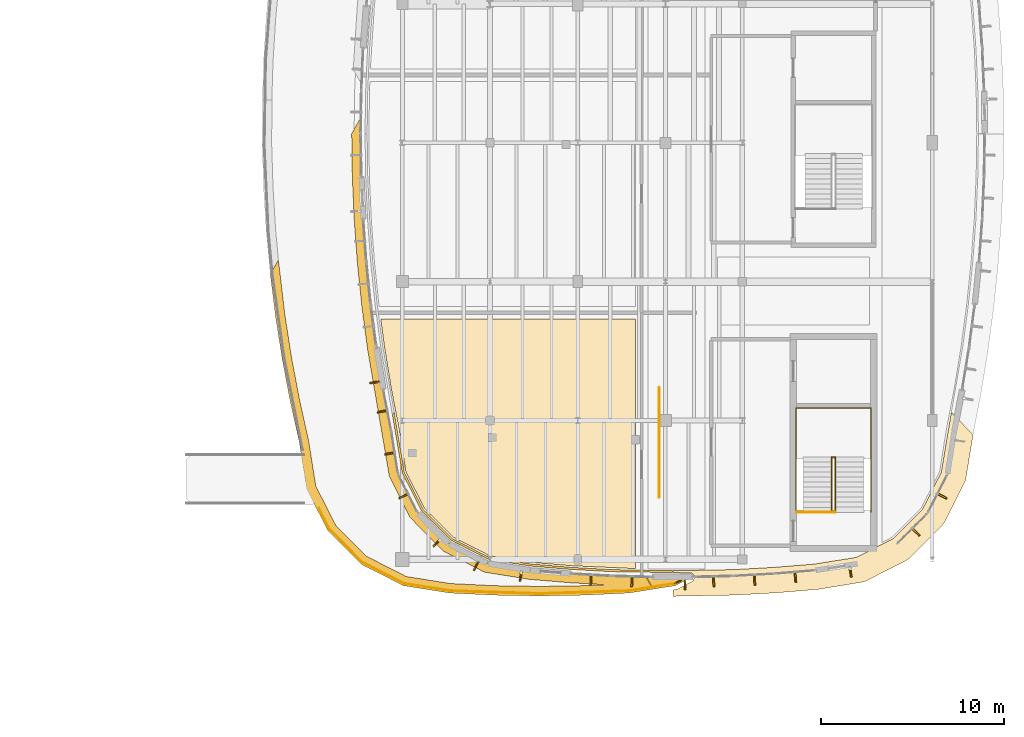
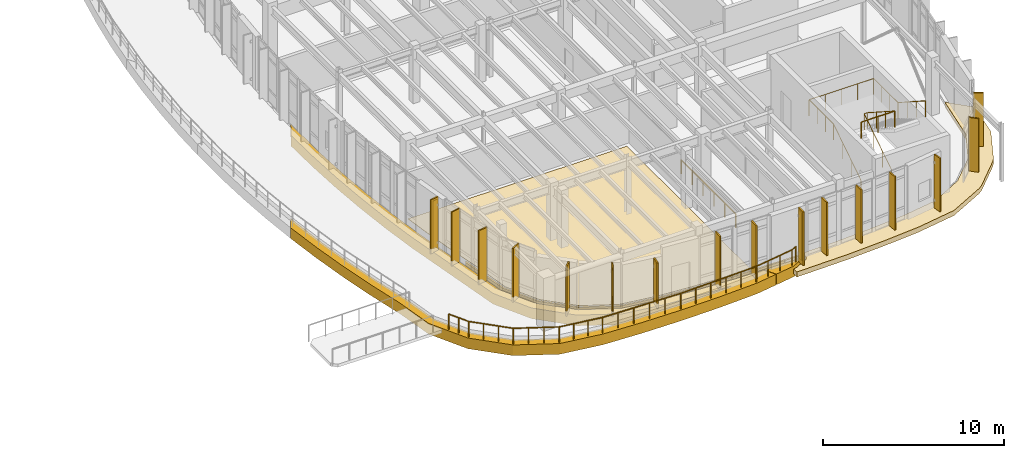
# One storey, part 100 of 105: 21 coverings, 6 railings, 6 shading devices.
"""IFC4 building model written with IfcOpenShell, lengths in metres."""

from ifc_helpers import new_model, si_unit, direction, frame, origin, origin_2d, place, context, subcontext, project, spatial, polyline, rectangle, circle, outline, extrude, material, layer, layer_set, type_object, element, save


model = new_model("IFC4")

# Units and contexts
model_context = context("Model", 3, precision=1e-05, world=origin(), true_north=direction((0.0, 1.0)))
body_context = subcontext(model_context, "Body", "Model", "MODEL_VIEW")
ifc_project = project(units=[si_unit("LENGTHUNIT", "METRE"), si_unit("AREAUNIT", "SQUARE_METRE"), si_unit("VOLUMEUNIT", "CUBIC_METRE"), si_unit("PLANEANGLEUNIT", "RADIAN"), si_unit("MASSUNIT", "GRAM", prefix="KILO")], contexts=[model_context])

# Site, building, storey
site_placement = place(None, origin())
site = spatial("IfcSite", under=ifc_project, at=site_placement, CompositionType="ELEMENT")
building_placement = place(site_placement, origin())
building = spatial("IfcBuilding", under=site, at=building_placement, Name="Corveleigh Park Community Centre", CompositionType="ELEMENT")
storey_placement = place(building_placement, frame((0.0, 0.0, 8.699951171875)))
storey = spatial("IfcBuildingStorey", under=building, at=storey_placement, Name="L02", CompositionType="ELEMENT", Elevation=8.699951171875)

# Coverings
ifc_material_1 = material(Name="Warm buff ribbed architectural cladding", Category="masonry")
ifc_layer_1 = layer(ifc_material_1, 0.0849609375, Name="Warm buff ribbed architectural cladding", Category="masonry")
ifc_layer_set_1 = layer_set([ifc_layer_1], Name="Warm buff ribbed architectural cladding")
covering_type_1 = type_object("IfcCoveringType", Name="COV-CLD-BUF", PredefinedType="CLADDING", material=ifc_layer_set_1)
covering_1_placement = place(storey_placement, origin())
element("IfcCovering", 1, at=covering_1_placement, inside=storey, type_object=covering_type_1, Name="V4 L02 Brise-soleil blade 369", PredefinedType="CLADDING", context=body_context, shape_type="SweptSolid", body=[
    extrude(outline(polyline([(149.781982421875, 57.77197265625), (149.697021484375, 57.777099609375), (149.6650390625, 57.197998046875), (149.75, 57.193115234375), (149.781982421875, 57.77197265625)])), origin(), (0.0, 0.0, 1.0), 3.636962890625),
])
covering_2_placement = place(storey_placement, origin())
element("IfcCovering", 2, at=covering_2_placement, inside=storey, type_object=covering_type_1, Name="V4 L02 Brise-soleil blade 370", PredefinedType="CLADDING", context=body_context, shape_type="SweptSolid", body=[
    extrude(outline(polyline([(152.011962890625, 57.680908203125), (151.927001953125, 57.68310546875), (151.909912109375, 57.10302734375), (151.9951171875, 57.10107421875), (152.011962890625, 57.680908203125)])), origin(), (0.0, 0.0, 1.0), 3.636962890625),
])
covering_3_placement = place(storey_placement, origin())
element("IfcCovering", 3, at=covering_3_placement, inside=storey, type_object=covering_type_1, Name="V4 L02 Brise-soleil blade 371", PredefinedType="CLADDING", context=body_context, shape_type="SweptSolid", body=[
    extrude(outline(polyline([(154.89892578125, 57.47607421875), (154.81494140625, 57.47607421875), (154.81494140625, 56.94091796875), (154.89892578125, 56.94091796875), (154.89892578125, 57.47607421875)])), origin(), (0.0, 0.0, 1.0), 3.636962890625),
])
covering_4_placement = place(storey_placement, origin())
element("IfcCovering", 4, at=covering_4_placement, inside=storey, type_object=covering_type_1, Name="V4 L02 Brise-soleil blade 372", PredefinedType="CLADDING", context=body_context, shape_type="SweptSolid", body=[
    extrude(outline(polyline([(156.472900390625, 57.68310546875), (156.387939453125, 57.680908203125), (156.405029296875, 57.10107421875), (156.489990234375, 57.10302734375), (156.472900390625, 57.68310546875)])), origin(), (0.0, 0.0, 1.0), 3.636962890625),
])
covering_5_placement = place(storey_placement, origin())
element("IfcCovering", 5, at=covering_5_placement, inside=storey, type_object=covering_type_1, Name="V4 L02 Brise-soleil blade 373", PredefinedType="CLADDING", context=body_context, shape_type="SweptSolid", body=[
    extrude(outline(polyline([(158.702880859375, 57.777099609375), (158.617919921875, 57.77197265625), (158.64990234375, 57.193115234375), (158.735107421875, 57.197998046875), (158.702880859375, 57.777099609375)])), origin(), (0.0, 0.0, 1.0), 3.64208984375),
])
covering_6_placement = place(storey_placement, origin())
element("IfcCovering", 6, at=covering_6_placement, inside=storey, type_object=covering_type_1, Name="V4 L02 Brise-soleil blade 374", PredefinedType="CLADDING", context=body_context, shape_type="SweptSolid", body=[
    extrude(outline(polyline([(160.927001953125, 57.930908203125), (160.842041015625, 57.924072265625), (160.889892578125, 57.346923828125), (160.97412109375, 57.35400390625), (160.927001953125, 57.930908203125)])), origin(), (0.0, 0.0, 1.0), 3.64208984375),
])
covering_7_placement = place(storey_placement, origin())
element("IfcCovering", 7, at=covering_7_placement, inside=storey, type_object=covering_type_1, Name="V4 L02 Brise-soleil blade 375", PredefinedType="CLADDING", context=body_context, shape_type="SweptSolid", body=[
    extrude(outline(polyline([(163.929931640625, 58.1689453125), (163.845947265625, 58.156005859375), (163.928955078125, 57.626953125), (164.012939453125, 57.64111328125), (163.929931640625, 58.1689453125)])), origin(), (0.0, 0.0, 1.0), 3.64208984375),
])
covering_8_placement = place(storey_placement, origin())
element("IfcCovering", 8, at=covering_8_placement, inside=storey, type_object=covering_type_1, Name="V4 L02 Brise-soleil blade 376", PredefinedType="CLADDING", context=body_context, shape_type="SweptSolid", body=[
    extrude(outline(polyline([(167.323974609375, 60.3359375), (167.263916015625, 60.27587890625), (167.674072265625, 59.865966796875), (167.73388671875, 59.926025390625), (167.323974609375, 60.3359375)])), origin(), (0.0, 0.0, 1.0), 3.64208984375),
])
covering_9_placement = place(storey_placement, origin())
element("IfcCovering", 9, at=covering_9_placement, inside=storey, type_object=covering_type_1, Name="V4 L02 Brise-soleil blade 377", PredefinedType="CLADDING", context=body_context, shape_type="SweptSolid", body=[
    extrude(outline(polyline([(168.68994140625, 62.239013671875), (168.65087890625, 62.1630859375), (169.16796875, 61.89990234375), (169.20703125, 61.97607421875), (168.68994140625, 62.239013671875)])), origin(), (0.0, 0.0, 1.0), 3.64208984375),
])
covering_10_placement = place(storey_placement, origin())
element("IfcCovering", 10, at=covering_10_placement, inside=storey, type_object=covering_type_1, Name="V4 L02 Brise-soleil blade 422", PredefinedType="CLADDING", context=body_context, shape_type="SweptSolid", body=[
    extrude(outline(polyline([(138.14599609375, 68.291015625), (138.133056640625, 68.375), (137.60498046875, 68.2890625), (137.617919921875, 68.205078125), (138.14599609375, 68.291015625)])), origin(), (0.0, 0.0, 1.0), 3.636962890625),
])
covering_11_placement = place(storey_placement, origin())
element("IfcCovering", 11, at=covering_11_placement, inside=storey, type_object=covering_type_1, Name="V4 L02 Brise-soleil blade 423", PredefinedType="CLADDING", context=body_context, shape_type="SweptSolid", body=[
    extrude(outline(polyline([(138.60595703125, 66.714111328125), (138.590087890625, 66.797119140625), (138.02001953125, 66.68701171875), (138.035888671875, 66.60400390625), (138.60595703125, 66.714111328125)])), origin(), (0.0, 0.0, 1.0), 3.636962890625),
])
covering_12_placement = place(storey_placement, origin())
element("IfcCovering", 12, at=covering_12_placement, inside=storey, type_object=covering_type_1, Name="V4 L02 Brise-soleil blade 424", PredefinedType="CLADDING", context=body_context, shape_type="SweptSolid", body=[
    extrude(outline(polyline([(139.010009765625, 64.40087890625), (138.9970703125, 64.485107421875), (138.424072265625, 64.39404296875), (138.43701171875, 64.31005859375), (139.010009765625, 64.40087890625)])), origin(), (0.0, 0.0, 1.0), 3.636962890625),
])
covering_13_placement = place(storey_placement, origin())
element("IfcCovering", 13, at=covering_13_placement, inside=storey, type_object=covering_type_1, Name="V4 L02 Brise-soleil blade 425", PredefinedType="CLADDING", context=body_context, shape_type="SweptSolid", body=[
    extrude(outline(polyline([(139.7490234375, 62.1630859375), (139.7099609375, 62.239013671875), (139.193115234375, 61.97607421875), (139.23193359375, 61.89990234375), (139.7490234375, 62.1630859375)])), origin(), (0.0, 0.0, 1.0), 3.636962890625),
])
covering_14_placement = place(storey_placement, origin())
element("IfcCovering", 14, at=covering_14_placement, inside=storey, type_object=covering_type_1, Name="V4 L02 Brise-soleil blade 426", PredefinedType="CLADDING", context=body_context, shape_type="SweptSolid", body=[
    extrude(outline(polyline([(141.508056640625, 59.656982421875), (141.447998046875, 59.717041015625), (141.070068359375, 59.337890625), (141.1298828125, 59.278076171875), (141.508056640625, 59.656982421875)])), origin(), (0.0, 0.0, 1.0), 3.322021484375),
])
covering_15_placement = place(storey_placement, origin())
element("IfcCovering", 15, at=covering_15_placement, inside=storey, type_object=covering_type_1, Name="V4 L02 Brise-soleil blade 427", PredefinedType="CLADDING", context=body_context, shape_type="SweptSolid", body=[
    extrude(outline(polyline([(143.593017578125, 58.4541015625), (143.51708984375, 58.491943359375), (143.27392578125, 58.01611328125), (143.35009765625, 57.97705078125), (143.593017578125, 58.4541015625)])), origin(), (0.0, 0.0, 1.0), 3.26904296875),
])
covering_16_placement = place(storey_placement, origin())
element("IfcCovering", 16, at=covering_16_placement, inside=storey, type_object=covering_type_1, Name="V4 L02 Brise-soleil blade 428", PredefinedType="CLADDING", context=body_context, shape_type="SweptSolid", body=[
    extrude(outline(polyline([(145.9619140625, 57.923095703125), (145.8779296875, 57.93603515625), (145.7939453125, 57.407958984375), (145.8779296875, 57.39404296875), (145.9619140625, 57.923095703125)])), origin(), (0.0, 0.0, 1.0), 3.0849609375),
])
ifc_material_2 = material(Name="White architectural fascia cladding", Category="masonry")
ifc_layer_2 = layer(ifc_material_2, 0.074951171875, Name="White architectural fascia cladding", Category="masonry")
ifc_layer_set_2 = layer_set([ifc_layer_2], Name="White architectural fascia cladding")
covering_type_2 = type_object("IfcCoveringType", Name="COV-CLD-WHT", PredefinedType="CLADDING", material=ifc_layer_set_2)
covering_17_placement = place(storey_placement, frame((0.0, 0.0, -0.679931640625)))
element("IfcCovering", 17, at=covering_17_placement, inside=storey, type_object=covering_type_2, Name="Step 2 Library Reading Terrace Sweeping White Edge Band 6", PredefinedType="CLADDING", context=body_context, shape_type="SweptSolid", body=[
    extrude(outline(polyline([(151.805908203125, 56.760009765625), (149.35205078125, 56.64208984375), (146.89892578125, 56.60302734375), (144.447021484375, 56.64208984375), (141.993896484375, 56.760009765625), (139.4599609375, 57.160888671875), (137.156005859375, 58.333984375), (135.330078125, 60.162109375), (134.1630859375, 62.4541015625), (133.760986328125, 64.992919921875), (133.2548828125, 67.279052734375), (132.821044921875, 69.5791015625), (132.4580078125, 71.89306640625), (132.1689453125, 74.2060546875), (132.617919921875, 74.98388671875), (132.972900390625, 71.966064453125), (133.3330078125, 69.66796875), (133.763916015625, 67.382080078125), (134.27392578125, 65.074951171875), (134.6630859375, 62.615966796875), (135.759033203125, 60.466064453125), (137.466064453125, 58.759033203125), (139.615966796875, 57.6630859375), (142.049072265625, 57.278076171875), (144.464111328125, 57.162109375), (146.89990234375, 57.123046875), (149.3359375, 57.162109375), (150.489013671875, 57.217041015625), (148.5830078125, 57.322998046875), (146.35791015625, 57.507080078125), (143.89892578125, 57.90087890625), (141.64208984375, 59.051025390625), (139.81005859375, 60.906982421875), (138.68505859375, 63.166015625), (137.491943359375, 70.134033203125), (137.180908203125, 72.47705078125), (136.93798828125, 74.837890625), (136.764892578125, 77.19091796875), (136.662109375, 79.547119140625), (136.6279296875, 81.89306640625), (137.162109375, 82.864013671875), (137.181884765625, 79.554931640625), (137.284912109375, 77.214111328125), (137.45703125, 74.876953125), (137.697021484375, 72.544921875), (138.0048828125, 70.220947265625), (139.196044921875, 63.260009765625), (140.27099609375, 61.14892578125), (141.947998046875, 59.471923828125), (144.06005859375, 58.39697265625), (146.403076171875, 58.02490234375), (148.6259765625, 57.841064453125), (150.85400390625, 57.718017578125), (152.696044921875, 57.69091796875), (153.113037109375, 56.967041015625), (151.805908203125, 56.760009765625)])), origin(), (0.0, 0.0, 1.0), 0.719970703125),
])
covering_18_placement = place(storey_placement, frame((0.0, 0.0, -0.679931640625)))
element("IfcCovering", 18, at=covering_18_placement, inside=storey, type_object=covering_type_2, Name="Step 2 Library Reading Terrace Sweeping White Edge Band 7", PredefinedType="CLADDING", context=body_context, shape_type="SweptSolid", body=[
    extrude(outline(polyline([(154.340087890625, 57.160888671875), (153.14599609375, 56.972900390625), (152.73095703125, 57.69091796875), (155.18505859375, 57.632080078125), (155.166015625, 57.580078125), (154.340087890625, 57.160888671875)])), origin(), (0.0, 0.0, 1.0), 0.719970703125),
])
covering_19_placement = place(storey_placement, frame((0.0, 0.0, -0.300048828125)))
element("IfcCovering", 19, at=covering_19_placement, inside=storey, type_object=covering_type_2, Name="V4 L02 Horizontal Sun-Hood 6", PredefinedType="CLADDING", context=body_context, shape_type="SweptSolid", body=[
    extrude(outline(polyline([(150.862060546875, 57.927978515625), (148.639892578125, 58.050048828125), (146.427978515625, 58.23291015625), (144.125, 58.59912109375), (142.072998046875, 59.64404296875), (140.443115234375, 61.27392578125), (139.39794921875, 63.326904296875), (138.84912109375, 66.533935546875), (138.9560546875, 66.64111328125), (139.509033203125, 63.360107421875), (140.5380859375, 61.341064453125), (142.14111328125, 59.738037109375), (144.159912109375, 58.708984375), (146.44189453125, 58.347900390625), (148.64794921875, 58.1650390625), (150.867919921875, 58.04296875), (154.18798828125, 57.98095703125), (154.18798828125, 57.8798828125), (150.862060546875, 57.927978515625)])), origin(), (0.0, 0.0, 1.0), 0.340087890625),
])
covering_20_placement = place(storey_placement, frame((0.0, 0.0, -0.300048828125)))
element("IfcCovering", 20, at=covering_20_placement, inside=storey, type_object=covering_type_2, Name="V4 L02 Horizontal Sun-Hood 7", PredefinedType="CLADDING", context=body_context, shape_type="SweptSolid", body=[
    extrude(outline(polyline([(170.634033203125, 65.41796875), (170.22705078125, 62.927001953125), (169.0849609375, 60.656005859375), (168.89111328125, 60.39111328125), (167.208984375, 58.708984375), (166.944091796875, 58.514892578125), (164.673095703125, 57.373046875), (162.1640625, 56.962890625), (159.863037109375, 56.77001953125), (157.60498046875, 56.64501953125), (154.212890625, 56.5810546875), (154.2119140625, 56.928955078125), (154.447998046875, 56.97802734375), (155.282958984375, 57.406005859375), (155.39794921875, 57.612060546875), (155.343994140625, 57.77099609375), (155.22412109375, 57.85400390625), (154.2119140625, 57.8798828125), (154.2119140625, 57.98095703125), (157.531982421875, 58.04296875), (159.751953125, 58.1650390625), (161.9580078125, 58.347900390625), (164.239990234375, 58.708984375), (166.259033203125, 59.738037109375), (167.862060546875, 61.341064453125), (168.89111328125, 63.360107421875), (169.444091796875, 66.64111328125), (170.634033203125, 65.41796875)])), origin(), (0.0, 0.0, 1.0), 0.340087890625),
])
ifc_material_3 = material(Name="Acoustic linoleum flooring", Category="wood")
ifc_layer_3 = layer(ifc_material_3, 0.02490234375, Name="Acoustic linoleum flooring", Category="wood")
ifc_layer_set_3 = layer_set([ifc_layer_3], Name="Acoustic linoleum flooring")
covering_type_3 = type_object("IfcCoveringType", Name="COV-FLR-LIN", PredefinedType="FLOORING", material=ifc_layer_set_3)
covering_21_placement = place(storey_placement, origin())
element("IfcCovering", 21, at=covering_21_placement, inside=storey, type_object=covering_type_3, Name="Community Library Reading Hall flooring", PredefinedType="FLOORING", context=body_context, shape_type="SweptSolid", body=[
    extrude(outline(polyline([(138.4150390625, 70.281005859375), (138.218994140625, 71.760009765625), (152.159912109375, 71.760009765625), (152.159912109375, 58.096923828125), (148.654052734375, 58.2548828125), (146.452880859375, 58.43701171875), (144.18896484375, 58.7958984375), (142.195068359375, 59.81103515625), (140.611083984375, 61.39501953125), (139.595947265625, 63.388916015625), (139.23388671875, 65.673095703125), (138.7890625, 67.97998046875), (138.4150390625, 70.281005859375)])), origin(), (0.0, 0.0, 1.0), 0.025146484375),
])

# Railings
ifc_material_4 = material(Name="Stainless steel 316 balustrade", Category="steel")
railing_type_1 = type_object("IfcRailingType", Name="RLG-BAL-EXT-1100", PredefinedType="BALUSTRADE", material=ifc_material_4)
railing_1_placement = place(storey_placement, frame((154.30908203125, 57.278076171875, 0.0)))
element("IfcRailing", 22, at=railing_1_placement, inside=storey, type_object=railing_type_1, Name="Step 2 Library Reading Terrace guard 7", PredefinedType="BALUSTRADE", context=body_context, shape_type="SweptSolid", body=[
    extrude(circle(Radius=0.02392578125, at=origin_2d()), frame((0.0, 0.0, 1.076171875), z_axis=(-0.987717093149, -0.156252820458, 0.0), x_axis=(0.156252820458, -0.987717093149, 0.0)), (0.0, 0.0, 1.0), 2.54833984375),
    extrude(circle(Radius=0.02392578125, at=origin_2d()), frame((-2.51708984375, -0.398193359375, 1.076171875), z_axis=(-0.999485544319, -0.032072522457, 0.0), x_axis=(0.032072522457, -0.999485544319, 0.0)), (0.0, 0.0, 1.0), 4.89453125),
    extrude(circle(Radius=0.02392578125, at=origin_2d()), frame((-7.4091796875, -0.55517578125, 1.076171875), z_axis=(-0.999485493007, 0.032074121475, 0.0), x_axis=(-0.032074121475, -0.999485493007, 0.0)), (0.0, 0.0, 1.0), 4.894287109375),
    extrude(circle(Radius=0.02392578125, at=origin_2d()), frame((-12.301025390625, -0.398193359375, 1.076171875), z_axis=(-0.987717093149, 0.156252820458, 0.0), x_axis=(-0.156252820458, -0.987717093149, 0.0)), (0.0, 0.0, 1.0), 2.54833984375),
    extrude(circle(Radius=0.02392578125, at=origin_2d()), frame((-14.818115234375, 0.0, 1.076171875), z_axis=(-0.890881743131, 0.454235313198, 0.0), x_axis=(-0.454235313198, -0.890881743131, 0.0)), (0.0, 0.0, 1.0), 2.5400390625),
    extrude(circle(Radius=0.02392578125, at=origin_2d()), frame((-17.0810546875, 1.15380859375, 1.076171875), z_axis=(-0.707106781187, 0.707106781187, 0.0), x_axis=(-0.707106781187, -0.707106781187, 0.0)), (0.0, 0.0, 1.0), 2.5400390625),
    extrude(circle(Radius=0.02392578125, at=origin_2d()), frame((-18.877197265625, 2.949951171875, 1.076171875), z_axis=(-0.454473346701, 0.890760336532, 0.0), x_axis=(-0.890760336532, -0.454473346701, 0.0)), (0.0, 0.0, 1.0), 1.315673828125),
    extrude(circle(Radius=0.02099609375, at=origin_2d()), origin(), (0.0, 0.0, 1.0), 1.052001953125),
    extrude(circle(Radius=0.02099609375, at=origin_2d()), frame((-0.839111328125, -0.1328125, 0.0)), (0.0, 0.0, 1.0), 1.052001953125),
    extrude(circle(Radius=0.02099609375, at=origin_2d()), frame((-1.677978515625, -0.265380859375, 0.0)), (0.0, 0.0, 1.0), 1.052001953125),
    extrude(circle(Radius=0.02099609375, at=origin_2d()), frame((-2.51708984375, -0.398193359375, 0.0)), (0.0, 0.0, 1.0), 1.052001953125),
    extrude(circle(Radius=0.02099609375, at=origin_2d()), frame((-3.49560546875, -0.4296875, 0.0)), (0.0, 0.0, 1.0), 1.052001953125),
    extrude(circle(Radius=0.02099609375, at=origin_2d()), frame((-4.473876953125, -0.4609375, 0.0)), (0.0, 0.0, 1.0), 1.052001953125),
    extrude(circle(Radius=0.02099609375, at=origin_2d()), frame((-5.452392578125, -0.492431640625, 0.0)), (0.0, 0.0, 1.0), 1.052001953125),
    extrude(circle(Radius=0.02099609375, at=origin_2d()), frame((-6.4306640625, -0.523681640625, 0.0)), (0.0, 0.0, 1.0), 1.052001953125),
    extrude(circle(Radius=0.02099609375, at=origin_2d()), frame((-7.4091796875, -0.55517578125, 0.0)), (0.0, 0.0, 1.0), 1.052001953125),
    extrude(circle(Radius=0.02099609375, at=origin_2d()), frame((-8.387451171875, -0.523681640625, 0.0)), (0.0, 0.0, 1.0), 1.052001953125),
    extrude(circle(Radius=0.02099609375, at=origin_2d()), frame((-9.365966796875, -0.492431640625, 0.0)), (0.0, 0.0, 1.0), 1.052001953125),
    extrude(circle(Radius=0.02099609375, at=origin_2d()), frame((-10.34423828125, -0.4609375, 0.0)), (0.0, 0.0, 1.0), 1.052001953125),
    extrude(circle(Radius=0.02099609375, at=origin_2d()), frame((-11.32275390625, -0.4296875, 0.0)), (0.0, 0.0, 1.0), 1.052001953125),
    extrude(circle(Radius=0.02099609375, at=origin_2d()), frame((-12.301025390625, -0.398193359375, 0.0)), (0.0, 0.0, 1.0), 1.052001953125),
    extrude(circle(Radius=0.02099609375, at=origin_2d()), frame((-13.14013671875, -0.265380859375, 0.0)), (0.0, 0.0, 1.0), 1.052001953125),
    extrude(circle(Radius=0.02099609375, at=origin_2d()), frame((-13.97900390625, -0.1328125, 0.0)), (0.0, 0.0, 1.0), 1.052001953125),
    extrude(circle(Radius=0.02099609375, at=origin_2d()), frame((-14.818115234375, 0.0, 0.0)), (0.0, 0.0, 1.0), 1.052001953125),
    extrude(circle(Radius=0.02099609375, at=origin_2d()), frame((-15.572509765625, 0.384521484375, 0.0)), (0.0, 0.0, 1.0), 1.052001953125),
    extrude(circle(Radius=0.02099609375, at=origin_2d()), frame((-16.32666015625, 0.769287109375, 0.0)), (0.0, 0.0, 1.0), 1.052001953125),
    extrude(circle(Radius=0.02099609375, at=origin_2d()), frame((-17.0810546875, 1.15380859375, 0.0)), (0.0, 0.0, 1.0), 1.052001953125),
    extrude(circle(Radius=0.02099609375, at=origin_2d()), frame((-17.6796875, 1.75244140625, 0.0)), (0.0, 0.0, 1.0), 1.052001953125),
    extrude(circle(Radius=0.02099609375, at=origin_2d()), frame((-18.278564453125, 2.351318359375, 0.0)), (0.0, 0.0, 1.0), 1.052001953125),
    extrude(circle(Radius=0.02099609375, at=origin_2d()), frame((-18.877197265625, 2.949951171875, 0.0)), (0.0, 0.0, 1.0), 1.052001953125),
    extrude(circle(Radius=0.02099609375, at=origin_2d()), frame((-19.17626953125, 3.535888671875, 0.0)), (0.0, 0.0, 1.0), 1.052001953125),
    extrude(circle(Radius=0.02099609375, at=origin_2d()), frame((-19.47509765625, 4.121826171875, 0.0)), (0.0, 0.0, 1.0), 1.052001953125),
])
railing_2_placement = place(storey_placement, frame((154.64794921875, 57.450927734375, 0.0)))
element("IfcRailing", 23, at=railing_2_placement, inside=storey, type_object=railing_type_1, Name="Step 2 Library Reading Terrace guard 9", PredefinedType="BALUSTRADE", context=body_context, shape_type="SweptSolid", body=[
    extrude(circle(Radius=0.02392578125, at=origin_2d()), frame((0.0, 0.0, 1.076171875), z_axis=(-0.890804284191, -0.454387199717, 0.0), x_axis=(0.454387199717, -0.890804284191, 0.0)), (0.0, 0.0, 1.0), 0.38037109375),
    extrude(circle(Radius=0.02099609375, at=origin_2d()), origin(), (0.0, 0.0, 1.0), 1.052001953125),
    extrude(circle(Radius=0.02099609375, at=origin_2d()), frame((-0.3388671875, -0.1728515625, 0.0)), (0.0, 0.0, 1.0), 1.052001953125),
])
railing_type_2 = type_object("IfcRailingType", Name="RLG-BAL-INT-1100", PredefinedType="BALUSTRADE", material=ifc_material_4)
railing_3_placement = place(storey_placement, frame((162.89990234375, 61.179931640625, 0.0)))
element("IfcRailing", 24, at=railing_3_placement, inside=storey, type_object=railing_type_2, Name="Stair ST1 inner guard L02", PredefinedType="BALUSTRADE", context=body_context, shape_type="SweptSolid", body=[
    extrude(circle(Radius=0.02392578125, at=origin_2d()), frame((0.0, 0.0, 1.076171875), z_axis=(0.0, 0.84051886652, 0.541782276402), x_axis=(-1.0, 0.0, 0.0)), (0.0, 0.0, 1.0), 3.59912109375),
    extrude(circle(Radius=0.02392578125, at=origin_2d()), frame((0.0, 3.025146484375, 3.02587890625), z_axis=(1.0, 0.0, 0.0), x_axis=(0.0, 1.0, 0.0)), (0.0, 0.0, 1.0), 0.2001953125),
    extrude(circle(Radius=0.02392578125, at=origin_2d()), frame((0.2001953125, 3.025146484375, 3.02587890625), z_axis=(0.0, -0.840487976612, 0.541830195882), x_axis=(1.0, 0.0, 0.0)), (0.0, 0.0, 1.0), 3.599365234375),
    extrude(circle(Radius=0.02099609375, at=origin_2d()), origin(), (0.0, 0.0, 1.0), 1.052001953125),
    extrude(circle(Radius=0.02099609375, at=origin_2d()), frame((0.0, 1.00830078125, 0.64990234375)), (0.0, 0.0, 1.0), 1.052001953125),
    extrude(circle(Radius=0.02099609375, at=origin_2d()), frame((0.0, 2.016845703125, 1.300048828125)), (0.0, 0.0, 1.0), 1.052001953125),
    extrude(circle(Radius=0.02099609375, at=origin_2d()), frame((0.0, 3.025146484375, 1.949951171875)), (0.0, 0.0, 1.0), 1.052001953125),
    extrude(circle(Radius=0.02099609375, at=origin_2d()), frame((0.2001953125, 3.025146484375, 1.949951171875)), (0.0, 0.0, 1.0), 1.052001953125),
    extrude(circle(Radius=0.02099609375, at=origin_2d()), frame((0.2001953125, 2.016845703125, 2.60009765625)), (0.0, 0.0, 1.0), 1.052001953125),
    extrude(circle(Radius=0.02099609375, at=origin_2d()), frame((0.2001953125, 1.00830078125, 3.25)), (0.0, 0.0, 1.0), 1.052001953125),
    extrude(circle(Radius=0.02099609375, at=origin_2d()), frame((0.2001953125, 0.0, 3.900146484375)), (0.0, 0.0, 1.0), 1.052001953125),
])
railing_4_placement = place(storey_placement, frame((160.967041015625, 61.179931640625, 3.900146484375)))
element("IfcRailing", 25, at=railing_4_placement, inside=storey, type_object=railing_type_2, Name="Stair ST1 landing guard L02", PredefinedType="BALUSTRADE", context=body_context, shape_type="SweptSolid", body=[
    extrude(circle(Radius=0.02392578125, at=origin_2d()), frame((0.0, 0.0, 1.076171875), z_axis=(1.0, 0.0, 0.0), x_axis=(0.0, 1.0, 0.0)), (0.0, 0.0, 1.0), 2.133056640625),
    extrude(circle(Radius=0.02099609375, at=origin_2d()), origin(), (0.0, 0.0, 1.0), 1.052001953125),
    extrude(circle(Radius=0.02099609375, at=origin_2d()), frame((1.06640625, 0.0, 0.0)), (0.0, 0.0, 1.0), 1.052001953125),
    extrude(circle(Radius=0.02099609375, at=origin_2d()), frame((2.133056640625, 0.0, 0.0)), (0.0, 0.0, 1.0), 1.052001953125),
])
railing_5_placement = place(storey_placement, frame((160.947021484375, 61.179931640625, 0.0)))
element("IfcRailing", 26, at=railing_5_placement, inside=storey, type_object=railing_type_2, Name="Stair ST1 perimeter guard L02", PredefinedType="BALUSTRADE", context=body_context, shape_type="SweptSolid", body=[
    extrude(circle(Radius=0.02392578125, at=origin_2d()), frame((0.0, 0.0, 1.076171875), z_axis=(0.0, 0.84051886652, 0.541782276402), x_axis=(-1.0, 0.0, 0.0)), (0.0, 0.0, 1.0), 3.59912109375),
    extrude(circle(Radius=0.02392578125, at=origin_2d()), frame((0.0, 3.025146484375, 3.02587890625), z_axis=(0.0, 1.0, 0.0), x_axis=(-1.0, 0.0, 0.0)), (0.0, 0.0, 1.0), 2.68798828125),
    extrude(circle(Radius=0.02392578125, at=origin_2d()), frame((0.0, 5.713134765625, 3.02587890625), z_axis=(1.0, 0.0, 0.0), x_axis=(0.0, 1.0, 0.0)), (0.0, 0.0, 1.0), 4.10595703125),
    extrude(circle(Radius=0.02392578125, at=origin_2d()), frame((4.10595703125, 5.713134765625, 3.02587890625), z_axis=(0.0, -1.0, 0.0), x_axis=(1.0, 0.0, 0.0)), (0.0, 0.0, 1.0), 2.68798828125),
    extrude(circle(Radius=0.02392578125, at=origin_2d()), frame((4.10595703125, 3.025146484375, 3.02587890625), z_axis=(0.0, -0.840487976612, 0.541830195882), x_axis=(1.0, 0.0, 0.0)), (0.0, 0.0, 1.0), 3.599365234375),
    extrude(circle(Radius=0.02099609375, at=origin_2d()), origin(), (0.0, 0.0, 1.0), 1.052001953125),
    extrude(circle(Radius=0.02099609375, at=origin_2d()), frame((0.0, 1.00830078125, 0.64990234375)), (0.0, 0.0, 1.0), 1.052001953125),
    extrude(circle(Radius=0.02099609375, at=origin_2d()), frame((0.0, 2.016845703125, 1.300048828125)), (0.0, 0.0, 1.0), 1.052001953125),
    extrude(circle(Radius=0.02099609375, at=origin_2d()), frame((0.0, 3.025146484375, 1.949951171875)), (0.0, 0.0, 1.0), 1.052001953125),
    extrude(circle(Radius=0.02099609375, at=origin_2d()), frame((0.0, 3.921142578125, 1.949951171875)), (0.0, 0.0, 1.0), 1.052001953125),
    extrude(circle(Radius=0.02099609375, at=origin_2d()), frame((0.0, 4.817138671875, 1.949951171875)), (0.0, 0.0, 1.0), 1.052001953125),
    extrude(circle(Radius=0.02099609375, at=origin_2d()), frame((0.0, 5.713134765625, 1.949951171875)), (0.0, 0.0, 1.0), 1.052001953125),
    extrude(circle(Radius=0.02099609375, at=origin_2d()), frame((1.0263671875, 5.713134765625, 1.949951171875)), (0.0, 0.0, 1.0), 1.052001953125),
    extrude(circle(Radius=0.02099609375, at=origin_2d()), frame((2.052978515625, 5.713134765625, 1.949951171875)), (0.0, 0.0, 1.0), 1.052001953125),
    extrude(circle(Radius=0.02099609375, at=origin_2d()), frame((3.07958984375, 5.713134765625, 1.949951171875)), (0.0, 0.0, 1.0), 1.052001953125),
    extrude(circle(Radius=0.02099609375, at=origin_2d()), frame((4.10595703125, 5.713134765625, 1.949951171875)), (0.0, 0.0, 1.0), 1.052001953125),
    extrude(circle(Radius=0.02099609375, at=origin_2d()), frame((4.10595703125, 4.817138671875, 1.949951171875)), (0.0, 0.0, 1.0), 1.052001953125),
    extrude(circle(Radius=0.02099609375, at=origin_2d()), frame((4.10595703125, 3.921142578125, 1.949951171875)), (0.0, 0.0, 1.0), 1.052001953125),
    extrude(circle(Radius=0.02099609375, at=origin_2d()), frame((4.10595703125, 3.025146484375, 1.949951171875)), (0.0, 0.0, 1.0), 1.052001953125),
    extrude(circle(Radius=0.02099609375, at=origin_2d()), frame((4.10595703125, 2.016845703125, 2.60009765625)), (0.0, 0.0, 1.0), 1.052001953125),
    extrude(circle(Radius=0.02099609375, at=origin_2d()), frame((4.10595703125, 1.00830078125, 3.25)), (0.0, 0.0, 1.0), 1.052001953125),
    extrude(circle(Radius=0.02099609375, at=origin_2d()), frame((4.10595703125, 0.0, 3.900146484375)), (0.0, 0.0, 1.0), 1.052001953125),
])
ifc_material_5 = material(Name="Powder-coated aluminium handrail", Category="aluminium")
railing_type_3 = type_object("IfcRailingType", Name="RLG-HND-INT-950", PredefinedType="HANDRAIL", material=ifc_material_5)
railing_6_placement = place(storey_placement, frame((153.449951171875, 62.0, 0.0)))
element("IfcRailing", 27, at=railing_6_placement, inside=storey, type_object=railing_type_3, Name="Accessible corridor wall handrail L02", PredefinedType="HANDRAIL", context=body_context, shape_type="SweptSolid", body=[
    extrude(circle(Radius=0.02392578125, at=origin_2d()), frame((0.0, 0.0, 0.92578125), z_axis=(0.0, 1.0, 0.0), x_axis=(-1.0, 0.0, 0.0)), (0.0, 0.0, 1.0), 6.0),
    extrude(circle(Radius=0.02099609375, at=origin_2d()), origin(), (0.0, 0.0, 1.0), 0.90185546875),
    extrude(circle(Radius=0.02099609375, at=origin_2d()), frame((0.0, 1.199951171875, 0.0)), (0.0, 0.0, 1.0), 0.90185546875),
    extrude(circle(Radius=0.02099609375, at=origin_2d()), frame((0.0, 2.39990234375, 0.0)), (0.0, 0.0, 1.0), 0.90185546875),
    extrude(circle(Radius=0.02099609375, at=origin_2d()), frame((0.0, 3.60009765625, 0.0)), (0.0, 0.0, 1.0), 0.90185546875),
    extrude(circle(Radius=0.02099609375, at=origin_2d()), frame((0.0, 4.800048828125, 0.0)), (0.0, 0.0, 1.0), 0.90185546875),
    extrude(circle(Radius=0.02099609375, at=origin_2d()), frame((0.0, 6.0, 0.0)), (0.0, 0.0, 1.0), 0.90185546875),
])

# Shading devices
ifc_material_6 = material(Name="Terracotta-anodised aluminium fin", Category="masonry")
shading_device_type_1 = type_object("IfcShadingDeviceType", Name="SHD-FIN-TER-350", PredefinedType="USERDEFINED", material=ifc_material_6)
for number, where, z_axis, x_axis, name in (
    (28, (154.85693359375, 57.285888671875, 0.25), (0.0, 0.0, 1.0), (0.0, -1.0, 0.0), "Terracotta brise-soleil fin 73"),
    (29, (137.951904296875, 68.302001953125, 0.25), (0.0, 0.0, 1.0), (-0.986991410962, -0.160772991165, 0.0), "Terracotta brise-soleil fin 87"),
):
    element("IfcShadingDevice", number, at=place(storey_placement, frame(where, z_axis=z_axis, x_axis=x_axis)), inside=storey, type_object=shading_device_type_1, Name=name, ObjectType="FIN", PredefinedType="USERDEFINED", context=body_context, shape_type="SweptSolid", body=[
        extrude(rectangle(XDim=0.35009765625, YDim=0.06005859375, at=origin_2d()), origin(), (0.0, 0.0, 1.0), 3.237060546875),
    ])
shading_device_1_placement = place(storey_placement, frame((143.468017578125, 58.303955078125, 0.25), z_axis=(0.0, 0.0, 1.0), x_axis=(-0.454153628935, -0.8909233869, 0.0)))
element("IfcShadingDevice", 30, at=shading_device_1_placement, inside=storey, type_object=shading_device_type_1, Name="Terracotta brise-soleil fin 89", ObjectType="FIN", PredefinedType="USERDEFINED", context=body_context, shape_type="SweptSolid", body=[
    extrude(rectangle(XDim=0.35009765625, YDim=0.06005859375, at=origin_2d()), origin(), (0.0, 0.0, 1.0), 2.868896484375),
])
shading_device_type_2 = type_object("IfcShadingDeviceType", Name="SHD-FIN-TER-450", PredefinedType="USERDEFINED", material=ifc_material_6)
shading_device_2_placement = place(storey_placement, frame((163.9169921875, 57.97509765625, 0.25), z_axis=(0.0, 0.0, 1.0), x_axis=(0.156448115315, -0.987686178507, 0.0)))
element("IfcShadingDevice", 31, at=shading_device_2_placement, inside=storey, type_object=shading_device_type_2, Name="Terracotta brise-soleil fin 74", ObjectType="FIN", PredefinedType="USERDEFINED", context=body_context, shape_type="SweptSolid", body=[
    extrude(rectangle(XDim=0.449951171875, YDim=0.06494140625, at=origin_2d()), origin(), (0.0, 0.0, 1.0), 3.241943359375),
])
shading_device_3_placement = place(storey_placement, frame((141.343994140625, 59.552001953125, 0.25), z_axis=(0.0, 0.0, 1.0), x_axis=(-0.707106781187, -0.707106781187, 0.0)))
element("IfcShadingDevice", 32, at=shading_device_3_placement, inside=storey, type_object=shading_device_type_2, Name="Terracotta brise-soleil fin 88", ObjectType="FIN", PredefinedType="USERDEFINED", context=body_context, shape_type="SweptSolid", body=[
    extrude(rectangle(XDim=0.449951171875, YDim=0.06494140625, at=origin_2d()), origin(), (0.0, 0.0, 1.0), 2.922119140625),
])
shading_device_4_placement = place(storey_placement, frame((145.889892578125, 57.741943359375, 0.25), z_axis=(0.0, 0.0, 1.0), x_axis=(-0.156448115315, -0.987686178507, 0.0)))
element("IfcShadingDevice", 33, at=shading_device_4_placement, inside=storey, type_object=shading_device_type_2, Name="Terracotta brise-soleil fin 90", ObjectType="FIN", PredefinedType="USERDEFINED", context=body_context, shape_type="SweptSolid", body=[
    extrude(rectangle(XDim=0.449951171875, YDim=0.06494140625, at=origin_2d()), origin(), (0.0, 0.0, 1.0), 2.68505859375),
])

save(model, "model.ifc")
